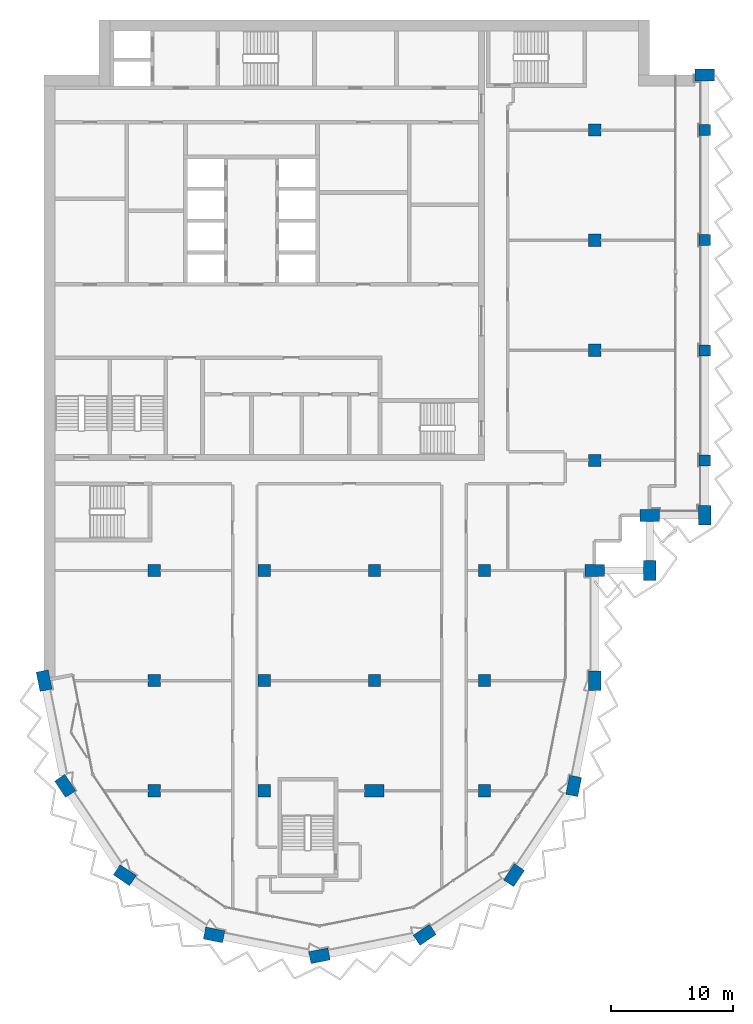
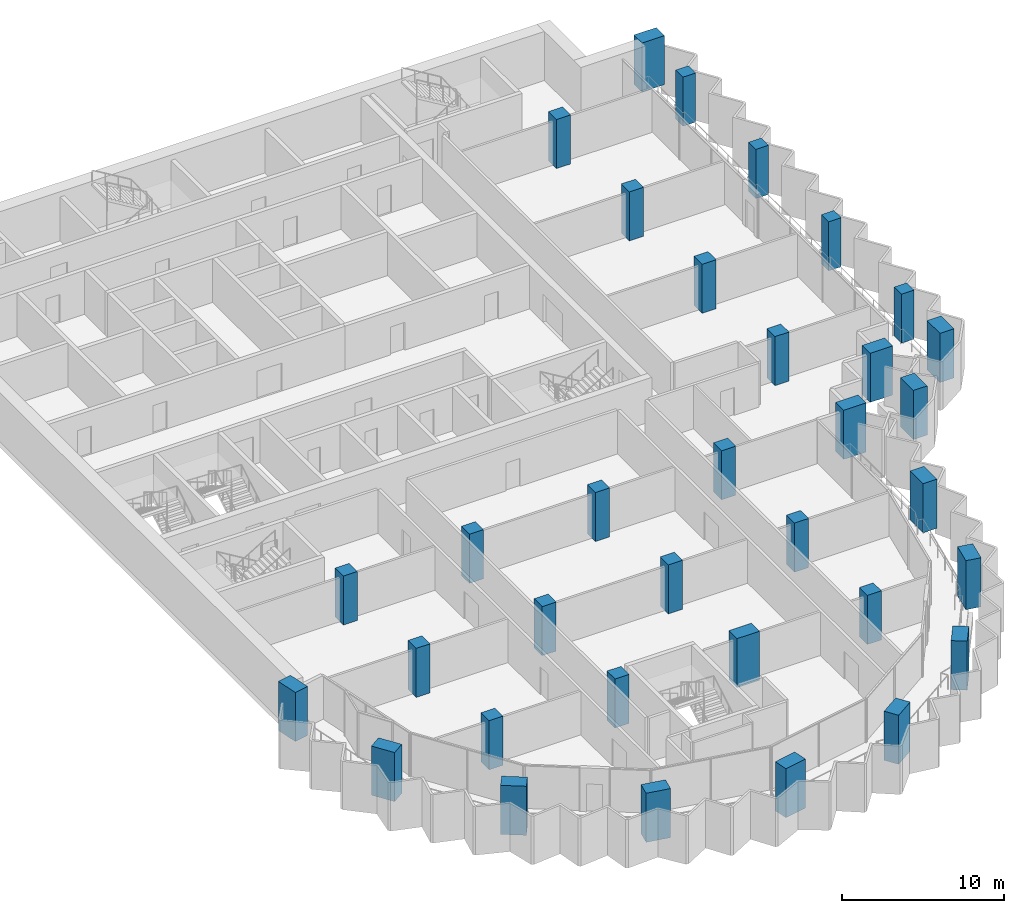
# One storey, part 1 of 17: 34 columns.
"""IFC4 building model written with IfcOpenShell, lengths in metres."""

from ifc_helpers import new_model, si_unit, direction, frame, origin, origin_2d, place, context, subcontext, project, spatial, rectangle, extrude, material, material_profile, profile_set, type_object, element, save


model = new_model("IFC4")

# Units and contexts
model_context = context("Model", 3, precision=1e-05, world=origin(), true_north=direction((0.0, 1.0)))
body_context = subcontext(model_context, "Body", "Model", "MODEL_VIEW")
ifc_project = project(units=[si_unit("LENGTHUNIT", "METRE"), si_unit("AREAUNIT", "SQUARE_METRE"), si_unit("VOLUMEUNIT", "CUBIC_METRE"), si_unit("PLANEANGLEUNIT", "RADIAN"), si_unit("MASSUNIT", "GRAM", prefix="KILO")], contexts=[model_context])

# Site, building, storey
site_placement = place(None, origin())
site = spatial("IfcSite", under=ifc_project, at=site_placement, CompositionType="ELEMENT")
building_placement = place(site_placement, origin())
building = spatial("IfcBuilding", under=site, at=building_placement, Name="Hunhe Ridgeline Campus", CompositionType="ELEMENT")
storey_placement = place(building_placement, frame((0.0, 0.0, 265.10009765625)))
storey = spatial("IfcBuildingStorey", under=building, at=storey_placement, Name="L68", CompositionType="ELEMENT", Elevation=265.10009765625)

# Columns
ifc_material = material(Name="Concrete C60", Category="concrete")
ifc_material_profile_1 = material_profile(ifc_material, rectangle(XDim=1.60009765625, YDim=1.0, at=origin_2d()))
ifc_profile_set_1 = profile_set([ifc_material_profile_1], Name="Concrete C60")
column_type_1 = type_object("IfcColumnType", Name="Megacolumn 1600x1000 Concrete C60", PredefinedType="COLUMN", material=ifc_profile_set_1)
for number, where, z_axis, x_axis, name in (
    (1, (22.5, 22.5, 0.0), (0.0, 0.0, 1.0), (0.980785280403, 0.195090322016, 0.0), "Column C14 R13 L68"),
    (2, (13.8896484375, 24.212646484375, 0.0), (0.0, 0.0, 1.0), (-0.980785280403, 0.195090322016, 0.0), "Column C14 R14 L68"),
    (3, (31.1103515625, 24.212646484375, 0.0), (0.0, 0.0, 1.0), (0.831469612303, 0.55557023302, 0.0), "Column C14 R15 L68"),
    (4, (6.590087890625, 29.090087890625, 0.0), (0.0, 0.0, 1.0), (-0.831469612303, 0.55557023302, 0.0), "Column C14 R18 L68"),
    (5, (38.409912109375, 29.090087890625, 0.0), (0.0, 0.0, 1.0), (0.55557023302, 0.831469612303, 0.0), "Column C14 R19 L68"),
    (6, (1.712646484375, 36.3896484375, 0.0), (0.0, 0.0, 1.0), (-0.55557023302, 0.831469612303, 0.0), "Column C14 R23 L68"),
    (7, (43.287353515625, 36.3896484375, 0.0), (0.0, 0.0, 1.0), (0.195090322016, 0.980785280403, 0.0), "Column C14 R24 L68"),
    (8, (0.0, 45.0, 0.0), (0.0, 0.0, 1.0), (-0.195090322016, 0.980785280403, 0.0), "Column C14 F1 L68"),
    (9, (45.0, 45.0, 0.0), (0.0, 0.0, 1.0), (0.0, 1.0, 0.0), "Column C14 F6 L68"),
    (10, (45.0, 54.0, 0.0), (0.0, 0.0, 1.0), (1.0, 0.0, 0.0), "Column C14 G6 L68"),
    (11, (49.5, 54.0, 0.0), (0.0, 0.0, 1.0), (0.0, 1.0, 0.0), "Column C14 R29 L68"),
    (12, (49.5, 58.5, 0.0), (0.0, 0.0, 1.0), (1.0, 0.0, 0.0), "Column C14 R33 L68"),
    (13, (54.0, 58.5, 0.0), (0.0, 0.0, 1.0), (0.0, 1.0, 0.0), "Column C14 R34 L68"),
    (14, (54.0, 94.5, 0.0), (0.0, 0.0, 1.0), (1.0, 0.0, 0.0), "Column C14 R41 L68"),
    (15, (27.0, 36.0, 0.0), (0.0, 0.0, 1.0), (1.0, 0.0, 0.0), "Column C14 E4 L68"),
):
    element("IfcColumn", number, at=place(storey_placement, frame(where, z_axis=z_axis, x_axis=x_axis)), inside=storey, type_object=column_type_1, Name=name, PredefinedType="COLUMN", context=body_context, shape_type="SweptSolid", body=[
        extrude(rectangle(XDim=1.60009765625, YDim=1.0, at=origin_2d()), origin(), (0.0, 0.0, 1.0), 3.699951171875),
    ])
ifc_material_profile_2 = material_profile(ifc_material, rectangle(XDim=1.0, YDim=1.0, at=origin_2d()))
ifc_profile_set_2 = profile_set([ifc_material_profile_2], Name="Concrete C60")
column_type_2 = type_object("IfcColumnType", Name="RC column 1000x1000 Concrete C60", PredefinedType="COLUMN", material=ifc_profile_set_2)
for number, where, z_axis, x_axis, name in (
    (16, (9.0, 36.0, 0.0), (0.0, 0.0, 1.0), (1.0, 0.0, 0.0), "Column C12 E2 L68"),
    (17, (9.0, 45.0, 0.0), (0.0, 0.0, 1.0), (1.0, 0.0, 0.0), "Column C12 F2 L68"),
    (18, (9.0, 54.0, 0.0), (0.0, 0.0, 1.0), (1.0, 0.0, 0.0), "Column C12 G2 L68"),
    (19, (18.0, 36.0, 0.0), (0.0, 0.0, 1.0), (1.0, 0.0, 0.0), "Column C12 E3 L68"),
    (20, (18.0, 45.0, 0.0), (0.0, 0.0, 1.0), (1.0, 0.0, 0.0), "Column C12 F3 L68"),
    (21, (18.0, 54.0, 0.0), (0.0, 0.0, 1.0), (1.0, 0.0, 0.0), "Column C12 G3 L68"),
    (22, (27.0, 45.0, 0.0), (0.0, 0.0, 1.0), (1.0, 0.0, 0.0), "Column C12 F4 L68"),
    (23, (27.0, 54.0, 0.0), (0.0, 0.0, 1.0), (1.0, 0.0, 0.0), "Column C12 G4 L68"),
    (24, (36.0, 36.0, 0.0), (0.0, 0.0, 1.0), (1.0, 0.0, 0.0), "Column C12 E5 L68"),
    (25, (36.0, 45.0, 0.0), (0.0, 0.0, 1.0), (1.0, 0.0, 0.0), "Column C12 F5 L68"),
    (26, (36.0, 54.0, 0.0), (0.0, 0.0, 1.0), (1.0, 0.0, 0.0), "Column C12 G5 L68"),
    (27, (45.0, 63.0, 0.0), (0.0, 0.0, 1.0), (1.0, 0.0, 0.0), "Column C12 H6 L68"),
    (28, (45.0, 72.0, 0.0), (0.0, 0.0, 1.0), (1.0, 0.0, 0.0), "Column C12 I6 L68"),
    (29, (45.0, 81.0, 0.0), (0.0, 0.0, 1.0), (1.0, 0.0, 0.0), "Column C12 J6 L68"),
    (30, (45.0, 90.0, 0.0), (0.0, 0.0, 1.0), (1.0, 0.0, 0.0), "Column C12 K6 L68"),
):
    element("IfcColumn", number, at=place(storey_placement, frame(where, z_axis=z_axis, x_axis=x_axis)), inside=storey, type_object=column_type_2, Name=name, PredefinedType="COLUMN", context=body_context, shape_type="SweptSolid", body=[
        extrude(rectangle(XDim=1.0, YDim=1.0, at=origin_2d()), origin(), (0.0, 0.0, 1.0), 3.699951171875),
    ])
ifc_material_profile_3 = material_profile(ifc_material, rectangle(XDim=0.89990234375, YDim=0.89990234375, at=origin_2d()))
ifc_profile_set_3 = profile_set([ifc_material_profile_3], Name="Concrete C60")
column_type_3 = type_object("IfcColumnType", Name="RC column 900x900 Concrete C60", PredefinedType="COLUMN", material=ifc_profile_set_3)
for number, where, z_axis, x_axis, name in (
    (31, (54.0, 63.0, 0.0), (0.0, 0.0, 1.0), (1.0, 0.0, 0.0), "Column C15 H7 L68"),
    (32, (54.0, 72.0, 0.0), (0.0, 0.0, 1.0), (1.0, 0.0, 0.0), "Column C15 I7 L68"),
    (33, (54.0, 81.0, 0.0), (0.0, 0.0, 1.0), (1.0, 0.0, 0.0), "Column C15 J7 L68"),
    (34, (54.0, 90.0, 0.0), (0.0, 0.0, 1.0), (1.0, 0.0, 0.0), "Column C15 K7 L68"),
):
    element("IfcColumn", number, at=place(storey_placement, frame(where, z_axis=z_axis, x_axis=x_axis)), inside=storey, type_object=column_type_3, Name=name, PredefinedType="COLUMN", context=body_context, shape_type="SweptSolid", body=[
        extrude(rectangle(XDim=0.89990234375, YDim=0.89990234375, at=origin_2d()), origin(), (0.0, 0.0, 1.0), 3.699951171875),
    ])

save(model, "model.ifc")
